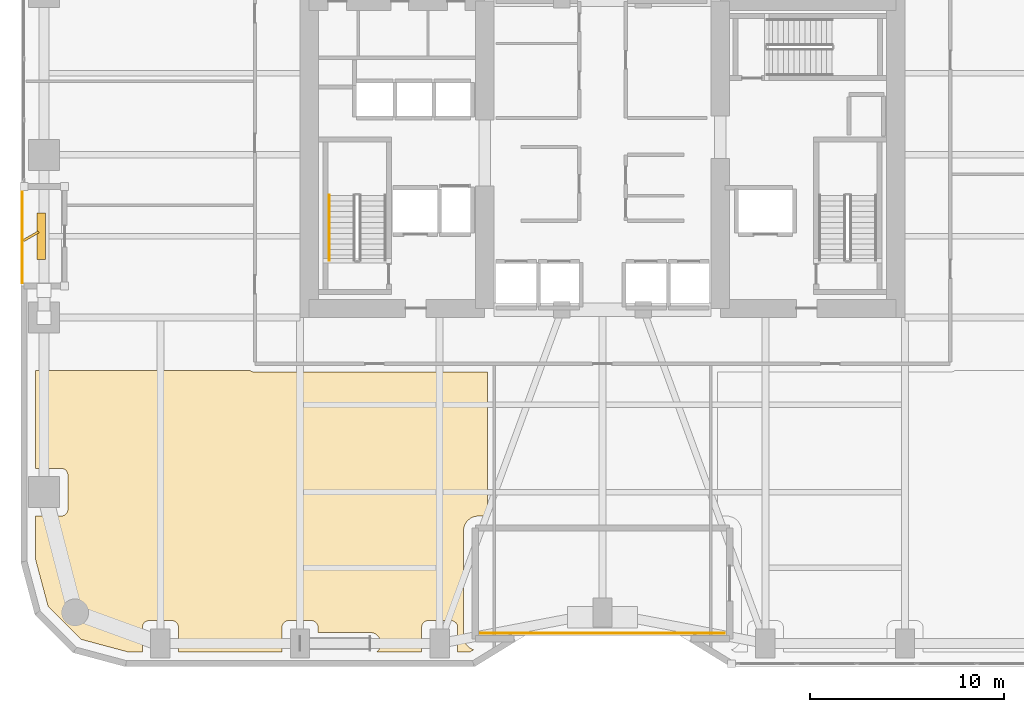
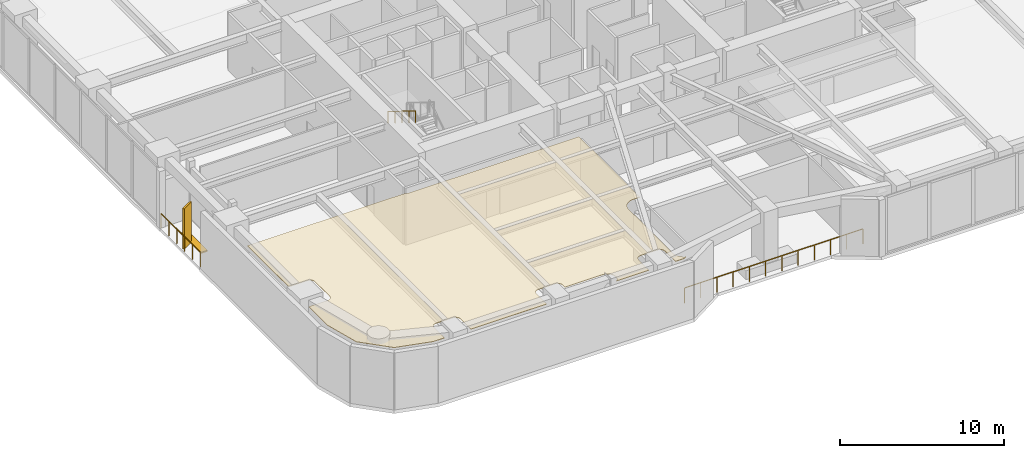
# One storey, part 21 of 25: 3 railings, 2 shading devices, 1 covering.
"""IFC4 building model written with IfcOpenShell, lengths in metres."""

from ifc_helpers import new_model, si_unit, direction, frame, origin, origin_2d, place, context, subcontext, project, spatial, polyline, rectangle, outline, extrude, material, layer, layer_set, type_object, element, save


model = new_model("IFC4")

# Units and contexts
model_context = context("Model", 3, precision=1e-05, world=origin(), true_north=direction((0.0, 1.0)))
body_context = subcontext(model_context, "Body", "Model", "MODEL_VIEW")
ifc_project = project(units=[si_unit("LENGTHUNIT", "METRE"), si_unit("AREAUNIT", "SQUARE_METRE"), si_unit("VOLUMEUNIT", "CUBIC_METRE"), si_unit("PLANEANGLEUNIT", "RADIAN"), si_unit("MASSUNIT", "GRAM", prefix="KILO")], contexts=[model_context])

# Site, building, storey
site_placement = place(None, origin())
site = spatial("IfcSite", under=ifc_project, at=site_placement, CompositionType="ELEMENT")
building_placement = place(site_placement, origin())
building = spatial("IfcBuilding", under=site, at=building_placement, Name="Kiyonajd Concourse Tower", CompositionType="ELEMENT")
storey_placement = place(building_placement, frame((0.0, 0.0, 68.39990234375)))
storey = spatial("IfcBuildingStorey", under=building, at=storey_placement, Name="L18", CompositionType="ELEMENT", Elevation=68.39990234375)

# Covering
ifc_material_1 = material(Name="Natural Oak Acoustic Timber Veneer", Category="wood")
ifc_layer = layer(ifc_material_1, 0.0400390625)
ifc_layer_set = layer_set([ifc_layer], Name="Natural Oak Acoustic Timber Veneer")
covering_type = type_object("IfcCoveringType", Name="CV-CLG-ACST", PredefinedType="CEILING", material=ifc_layer_set)
covering_placement = place(storey_placement, frame((0.0, 0.0, 4.06005859375)))
element("IfcCovering", 1, at=covering_placement, inside=storey, type_object=covering_type, Name="L18-38 Room Acoustic Ceiling", PredefinedType="CEILING", context=body_context, shape_type="SweptSolid", body=[
    extrude(outline(polyline([(29.826904296875, 24.8701171875), (29.882080078125, 24.8359375), (29.945068359375, 24.81005859375), (30.074951171875, 24.7900390625), (42.070068359375, 24.7900390625), (42.070068359375, 17.368896484375), (41.508056640625, 17.364013671875), (41.360107421875, 17.3310546875), (41.2958984375, 17.30810546875), (41.199951171875, 17.257080078125), (41.068115234375, 17.156982421875), (40.991943359375, 17.072021484375), (40.943115234375, 17.0), (40.89208984375, 16.904052734375), (40.868896484375, 16.840087890625), (40.847900390625, 16.76708984375), (40.83203125, 16.657958984375), (40.8359375, 11.10791015625), (40.85791015625, 10.992919921875), (40.883056640625, 10.9208984375), (40.93798828125, 10.80908203125), (40.998046875, 10.719970703125), (41.068115234375, 10.64306640625), (41.160888671875, 10.568115234375), (41.27197265625, 10.50390625), (41.34912109375, 10.472900390625), (41.181884765625, 10.3701171875), (40.530029296875, 10.3701171875), (40.530029296875, 11.6298828125), (40.52294921875, 11.697998046875), (40.489013671875, 11.794921875), (40.427001953125, 11.876953125), (40.344970703125, 11.93896484375), (40.248046875, 11.972900390625), (40.179931640625, 11.97998046875), (38.986083984375, 11.97802734375), (38.885986328125, 11.952880859375), (38.825927734375, 11.9208984375), (38.77294921875, 11.876953125), (38.72900390625, 11.823974609375), (38.697021484375, 11.763916015625), (38.672119140625, 11.6640625), (38.669921875, 10.3701171875), (36.3740234375, 10.3701171875), (36.44091796875, 10.43798828125), (36.485107421875, 10.501953125), (36.54296875, 10.626953125), (36.56396484375, 10.72509765625), (36.570068359375, 10.800048828125), (36.555908203125, 10.924072265625), (36.54296875, 10.972900390625), (36.501953125, 11.070068359375), (36.4169921875, 11.18701171875), (36.362060546875, 11.240966796875), (36.298095703125, 11.284912109375), (36.166015625, 11.345947265625), (36.02197265625, 11.368896484375), (33.330078125, 11.3701171875), (33.327880859375, 11.6640625), (33.302978515625, 11.763916015625), (33.27099609375, 11.823974609375), (33.22705078125, 11.876953125), (33.174072265625, 11.9208984375), (33.114013671875, 11.952880859375), (33.048095703125, 11.972900390625), (32.97998046875, 11.97998046875), (31.820068359375, 11.97998046875), (31.718017578125, 11.965087890625), (31.655029296875, 11.93896484375), (31.597900390625, 11.90087890625), (31.549072265625, 11.85205078125), (31.510986328125, 11.794921875), (31.47705078125, 11.697998046875), (31.469970703125, 11.6298828125), (31.469970703125, 10.3701171875), (26.1298828125, 10.3701171875), (26.1279296875, 11.6640625), (26.114990234375, 11.73193359375), (26.089111328125, 11.794921875), (26.027099609375, 11.876953125), (25.945068359375, 11.93896484375), (25.882080078125, 11.965087890625), (25.81396484375, 11.97802734375), (24.6201171875, 11.97998046875), (24.51806640625, 11.965087890625), (24.455078125, 11.93896484375), (24.39794921875, 11.90087890625), (24.34912109375, 11.85205078125), (24.31103515625, 11.794921875), (24.277099609375, 11.697998046875), (24.27001953125, 11.6298828125), (24.27001953125, 10.3701171875), (23.5009765625, 10.3701171875), (21.097900390625, 11.013916015625), (19.4140625, 12.697998046875), (18.77001953125, 15.10107421875), (18.77001953125, 17.3701171875), (20.114013671875, 17.3720703125), (20.181884765625, 17.385009765625), (20.2451171875, 17.410888671875), (20.302001953125, 17.448974609375), (20.35107421875, 17.498046875), (20.388916015625, 17.554931640625), (20.4150390625, 17.617919921875), (20.429931640625, 17.719970703125), (20.427978515625, 19.513916015625), (20.403076171875, 19.614013671875), (20.35107421875, 19.701904296875), (20.302001953125, 19.7509765625), (20.2451171875, 19.7890625), (20.14794921875, 19.822998046875), (20.080078125, 19.830078125), (18.77001953125, 19.830078125), (18.77001953125, 24.8701171875), (29.826904296875, 24.8701171875)])), origin(), (0.0, 0.0, 1.0), 0.0400390625),
])

# Railings
ifc_material_2 = material(Name="Thermally Broken Anodised Aluminium", Category="aluminium")
railing_type_1 = type_object("IfcRailingType", Name="RL-GRD-LOG", PredefinedType="GUARDRAIL", material=ifc_material_2)
railing_1_placement = place(storey_placement, frame((18.080078125, 34.199951171875, 0.0)))
element("IfcRailing", 2, at=railing_1_placement, inside=storey, type_object=railing_type_1, Name="L18 Engawa Loggia Perimeter Guard LOG-W", PredefinedType="GUARDRAIL", context=body_context, shape_type="SweptSolid", body=[
    extrude(rectangle(XDim=0.048095703125, YDim=0.048095703125, at=origin_2d()), frame((0.0, 0.0, 1.076171875), z_axis=(0.0, -1.0, 0.0), x_axis=(1.0, 0.0, 0.0)), (0.0, 0.0, 1.0), 4.800048828125),
    extrude(rectangle(XDim=0.0419921875, YDim=0.0419921875, at=origin_2d()), origin(), (0.0, 0.0, 1.0), 1.052001953125),
    extrude(rectangle(XDim=0.0419921875, YDim=0.0419921875, at=origin_2d()), frame((0.0, -0.9599609375, 0.0)), (0.0, 0.0, 1.0), 1.052001953125),
    extrude(rectangle(XDim=0.0419921875, YDim=0.0419921875, at=origin_2d()), frame((0.0, -1.919921875, 0.0)), (0.0, 0.0, 1.0), 1.052001953125),
    extrude(rectangle(XDim=0.0419921875, YDim=0.0419921875, at=origin_2d()), frame((0.0, -2.880126953125, 0.0)), (0.0, 0.0, 1.0), 1.052001953125),
    extrude(rectangle(XDim=0.0419921875, YDim=0.0419921875, at=origin_2d()), frame((0.0, -3.840087890625, 0.0)), (0.0, 0.0, 1.0), 1.052001953125),
    extrude(rectangle(XDim=0.0419921875, YDim=0.0419921875, at=origin_2d()), frame((0.0, -4.800048828125, 0.0)), (0.0, 0.0, 1.0), 1.052001953125),
])
railing_type_2 = type_object("IfcRailingType", Name="RL-GRD-SKY", PredefinedType="GUARDRAIL", material=ifc_material_2)
railing_2_placement = place(storey_placement, frame((41.719970703125, 11.320068359375, 0.0)))
element("IfcRailing", 3, at=railing_2_placement, inside=storey, type_object=railing_type_2, Name="L18 South Ribbon Sky Garden Wind Baffle Guard", PredefinedType="GUARDRAIL", context=body_context, shape_type="SweptSolid", body=[
    extrude(rectangle(XDim=0.048095703125, YDim=0.048095703125, at=origin_2d()), frame((0.0, 0.0, 1.1259765625), z_axis=(1.0, 0.0, 0.0), x_axis=(0.0, 1.0, 0.0)), (0.0, 0.0, 1.0), 12.56005859375),
    extrude(rectangle(XDim=0.0419921875, YDim=0.0419921875, at=origin_2d()), origin(), (0.0, 0.0, 1.0), 1.101806640625),
    extrude(rectangle(XDim=0.0419921875, YDim=0.0419921875, at=origin_2d()), frame((1.141845703125, 0.0, 0.0)), (0.0, 0.0, 1.0), 1.101806640625),
    extrude(rectangle(XDim=0.0419921875, YDim=0.0419921875, at=origin_2d()), frame((2.28369140625, 0.0, 0.0)), (0.0, 0.0, 1.0), 1.101806640625),
    extrude(rectangle(XDim=0.0419921875, YDim=0.0419921875, at=origin_2d()), frame((3.425537109375, 0.0, 0.0)), (0.0, 0.0, 1.0), 1.101806640625),
    extrude(rectangle(XDim=0.0419921875, YDim=0.0419921875, at=origin_2d()), frame((4.5673828125, 0.0, 0.0)), (0.0, 0.0, 1.0), 1.101806640625),
    extrude(rectangle(XDim=0.0419921875, YDim=0.0419921875, at=origin_2d()), frame((5.709228515625, 0.0, 0.0)), (0.0, 0.0, 1.0), 1.101806640625),
    extrude(rectangle(XDim=0.0419921875, YDim=0.0419921875, at=origin_2d()), frame((6.850830078125, 0.0, 0.0)), (0.0, 0.0, 1.0), 1.101806640625),
    extrude(rectangle(XDim=0.0419921875, YDim=0.0419921875, at=origin_2d()), frame((7.99267578125, 0.0, 0.0)), (0.0, 0.0, 1.0), 1.101806640625),
    extrude(rectangle(XDim=0.0419921875, YDim=0.0419921875, at=origin_2d()), frame((9.134521484375, 0.0, 0.0)), (0.0, 0.0, 1.0), 1.101806640625),
    extrude(rectangle(XDim=0.0419921875, YDim=0.0419921875, at=origin_2d()), frame((10.2763671875, 0.0, 0.0)), (0.0, 0.0, 1.0), 1.101806640625),
    extrude(rectangle(XDim=0.0419921875, YDim=0.0419921875, at=origin_2d()), frame((11.418212890625, 0.0, 0.0)), (0.0, 0.0, 1.0), 1.101806640625),
    extrude(rectangle(XDim=0.0419921875, YDim=0.0419921875, at=origin_2d()), frame((12.56005859375, 0.0, 0.0)), (0.0, 0.0, 1.0), 1.101806640625),
])
ifc_material_3 = material(Name="Brushed Stainless Steel Cab Assembly", Category="steel")
railing_type_3 = type_object("IfcRailingType", Name="RL-HND-900", PredefinedType="HANDRAIL", material=ifc_material_3)
railing_3_placement = place(storey_placement, frame((33.89990234375, 33.909912109375, 2.423095703125)))
element("IfcRailing", 4, at=railing_3_placement, inside=storey, type_object=railing_type_3, Name="L18 ST1 stair handrail 2", PredefinedType="HANDRAIL", context=body_context, shape_type="SweptSolid", body=[
    extrude(rectangle(XDim=0.048095703125, YDim=0.048095703125, at=origin_2d()), frame((0.0, 0.0, 0.8759765625), z_axis=(0.0, -0.850606129759, 0.525803396734), x_axis=(1.0, 0.0, 0.0)), (0.0, 0.0, 1.0), 3.949951171875),
    extrude(rectangle(XDim=0.0419921875, YDim=0.0419921875, at=origin_2d()), origin(), (0.0, 0.0, 1.0), 0.851806640625),
    extrude(rectangle(XDim=0.0419921875, YDim=0.0419921875, at=origin_2d()), frame((0.0, -0.83984375, 0.519287109375)), (0.0, 0.0, 1.0), 0.851806640625),
    extrude(rectangle(XDim=0.0419921875, YDim=0.0419921875, at=origin_2d()), frame((0.0, -1.679931640625, 1.03857421875)), (0.0, 0.0, 1.0), 0.851806640625),
    extrude(rectangle(XDim=0.0419921875, YDim=0.0419921875, at=origin_2d()), frame((0.0, -2.52001953125, 1.5576171875)), (0.0, 0.0, 1.0), 0.851806640625),
    extrude(rectangle(XDim=0.0419921875, YDim=0.0419921875, at=origin_2d()), frame((0.0, -3.35986328125, 2.076904296875)), (0.0, 0.0, 1.0), 0.851806640625),
])

# Shading devices
ifc_material_4 = material(Name="Precast concrete C50/60", Category="concrete")
shading_device_type_1 = type_object("IfcShadingDeviceType", Name="SH-FIN-900", PredefinedType="USERDEFINED", material=ifc_material_4)
shading_device_1_placement = place(storey_placement, frame((18.530029296875, 31.800048828125, 0.0), z_axis=(0.0, 0.0, 1.0), x_axis=(0.866025403784, 0.5, 0.0)))
element("IfcShadingDevice", 5, at=shading_device_1_placement, inside=storey, type_object=shading_device_type_1, Name="L18 Angled Koshi Solar Fin LOG-W", ObjectType="FIN", PredefinedType="USERDEFINED", context=body_context, shape_type="SweptSolid", body=[
    extrude(rectangle(XDim=0.89990234375, YDim=0.1201171875, at=origin_2d()), origin(), (0.0, 0.0, 1.0), 3.0),
])
shading_device_type_2 = type_object("IfcShadingDeviceType", Name="SH-LVR-600", PredefinedType="JALOUSIE", material=ifc_material_2)
shading_device_2_placement = place(storey_placement, frame((19.050048828125, 31.800048828125, 0.0), z_axis=(0.0, 0.0, 1.0), x_axis=(0.0, 1.0, 0.0)))
element("IfcShadingDevice", 6, at=shading_device_2_placement, inside=storey, type_object=shading_device_type_2, Name="L18 Loggia Threshold Louver LOG-W", PredefinedType="JALOUSIE", context=body_context, shape_type="SweptSolid", body=[
    extrude(rectangle(XDim=2.39990234375, YDim=0.449951171875, at=origin_2d()), origin(), (0.0, 0.0, 1.0), 0.10009765625),
])

save(model, "model.ifc")
